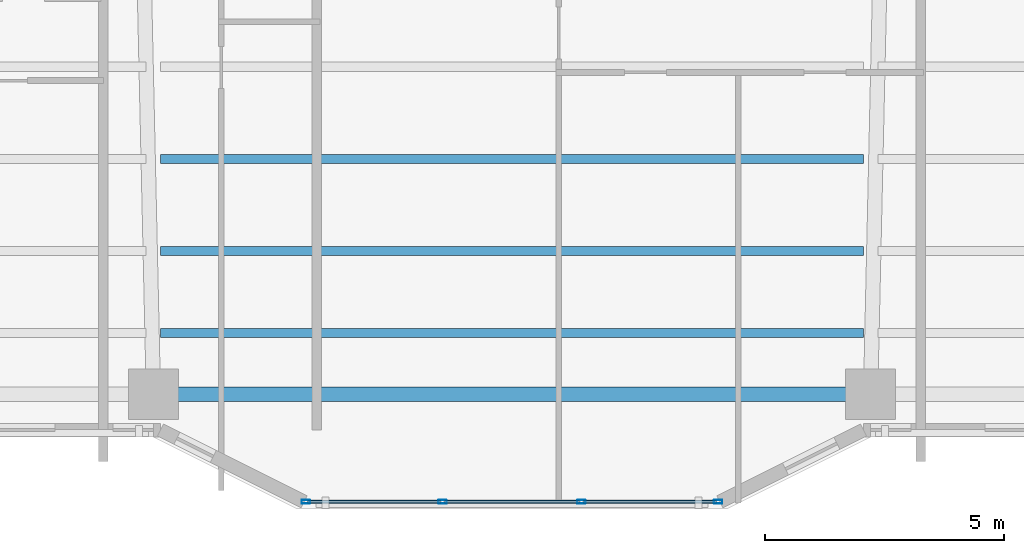
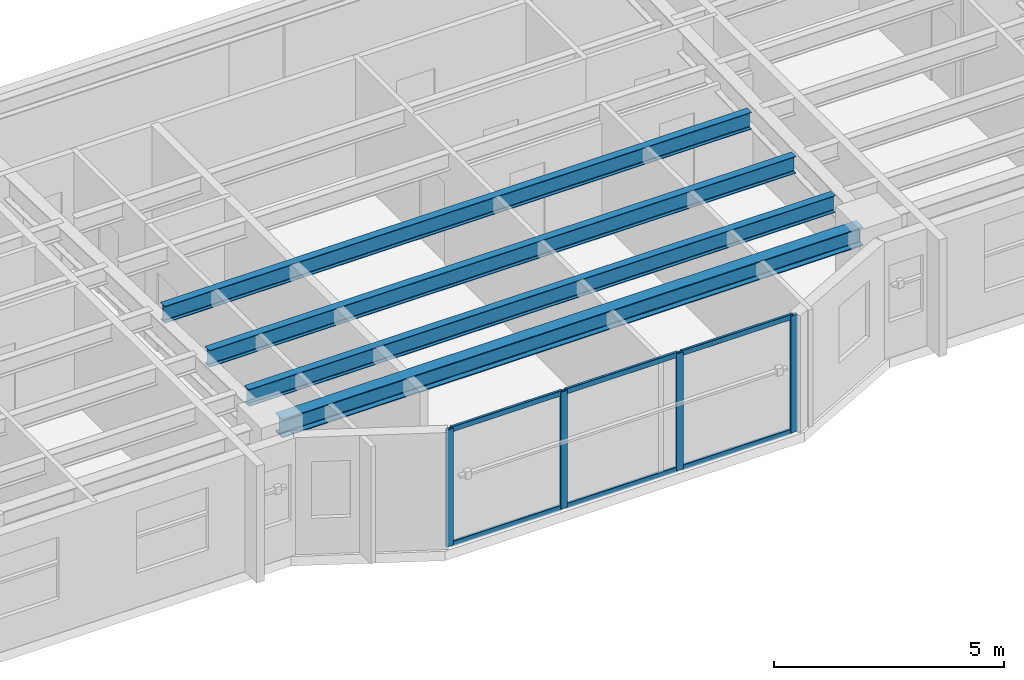
# One storey, part 2 of 18: 10 members, 4 beams, 1 element without a shape of its own.
"""IFC4 building model written with IfcOpenShell, lengths in metres."""

import ifcopenshell
import ifcopenshell.guid

model = None  # the IFC model being written
_history = None  # IfcOwnerHistory: only IFC2X3 demands one
_inside = {}  # id of a spatial element -> (the spatial element, [elements in it])
_under = {}  # id of a project, library or spatial element -> (it, [spatial elements below it])
_declared = {}  # id of a project -> (the project, [libraries it declares])
_typed = {}  # id of a type object -> (the type object, [elements of that type])
_made_of = {}  # id of a material, layer set ... -> (it, [elements and type objects made of it])


def new_model(schema):
    """Start an empty IFC model of exactly this schema.

    Asked for "IFC4X3", IfcOpenShell would pick the latest addendum, in which some entities
    have other attributes; the version numbers below select the first issue.
    IFC2X3 requires an IfcOwnerHistory on every rooted entity: one is made here for all.
    """
    global model, _history
    if schema == "IFC4X3":
        model = ifcopenshell.file(schema_version=(4, 3, 0, 0))
    else:
        model = ifcopenshell.file(schema=schema)
    _inside.clear()
    _under.clear()
    _declared.clear()
    _typed.clear()
    _made_of.clear()
    _history = None
    if model.schema == "IFC2X3":
        org = make("IfcOrganization", Name="unknown")
        user = make(
            "IfcPersonAndOrganization",
            ThePerson=make("IfcPerson", FamilyName="unknown"),
            TheOrganization=org,
        )
        app = make(
            "IfcApplication",
            ApplicationDeveloper=org,
            Version="unknown",
            ApplicationFullName="unknown",
            ApplicationIdentifier="unknown",
        )
        _history = make(
            "IfcOwnerHistory",
            OwningUser=user,
            OwningApplication=app,
            ChangeAction="ADDED",
            CreationDate=0,
        )
    return model


def make(cls, **values):
    """One entity of the class cls with the attributes given. An attribute that is None is left unset."""
    return model.create_entity(
        cls, **{name: value for name, value in values.items() if value is not None}
    )


def rooted(cls, **values):
    """An entity with a GlobalId (a new one), such as an element, a storey or a relation."""
    return make(cls, GlobalId=ifcopenshell.guid.new(), OwnerHistory=_history, **values)


def si_unit(unit_type, name, prefix=None):
    """IfcSIUnit, for example si_unit("LENGTHUNIT", "METRE", prefix="MILLI")."""
    return make("IfcSIUnit", UnitType=unit_type, Prefix=prefix, Name=name)


def assignment(units):
    """IfcUnitAssignment: the units of a project."""
    return None if units is None else make("IfcUnitAssignment", Units=units)


def point(xyz):
    """IfcCartesianPoint."""
    return None if xyz is None else make("IfcCartesianPoint", Coordinates=xyz)


def direction(xyz):
    """IfcDirection."""
    return None if xyz is None else make("IfcDirection", DirectionRatios=xyz)


def frame(location, z_axis=None, x_axis=None):
    """IfcAxis2Placement3D, a coordinate frame: its origin and axes. An axis left out is left unset."""
    return make(
        "IfcAxis2Placement3D",
        Location=point(location),
        Axis=direction(z_axis),
        RefDirection=direction(x_axis),
    )


def frame_2d(location, x_axis=None):
    """IfcAxis2Placement2D, a coordinate frame in the plane: its origin and x axis."""
    return make(
        "IfcAxis2Placement2D", Location=point(location), RefDirection=direction(x_axis)
    )


def origin():
    """The frame at (0, 0, 0) with its axes left unset."""
    return frame((0.0, 0.0, 0.0))


def origin_2d():
    """The frame at (0, 0) in the plane with its x axis left unset."""
    return frame_2d((0.0, 0.0))


def place(relative_to, where):
    """IfcLocalPlacement: puts the frame where relative to a parent placement (None: the world)."""
    return make(
        "IfcLocalPlacement", PlacementRelTo=relative_to, RelativePlacement=where
    )


def context(
    kind, dimensions, precision=None, world=None, true_north=None, identifier=None
):
    """IfcGeometricRepresentationContext, for example the 3D "Model" context."""
    return make(
        "IfcGeometricRepresentationContext",
        ContextIdentifier=identifier,
        ContextType=kind,
        CoordinateSpaceDimension=dimensions,
        Precision=precision,
        WorldCoordinateSystem=world,
        TrueNorth=true_north,
    )


def subcontext(parent, identifier, kind, view, scale=None):
    """IfcGeometricRepresentationSubContext, for example "Body" below "Model"."""
    return make(
        "IfcGeometricRepresentationSubContext",
        ContextIdentifier=identifier,
        ContextType=kind,
        ParentContext=parent,
        TargetScale=scale,
        TargetView=view,
    )


def project(units=None, contexts=None):
    """IfcProject with its units and contexts."""
    return rooted(
        "IfcProject",
        Name="project",
        RepresentationContexts=contexts,
        UnitsInContext=assignment(units),
    )


def spatial(cls, under=None, at=None, **own):
    """A site, building, storey or space (cls), placed at a placement, below another one or the project."""
    s = rooted(cls, ObjectPlacement=at, **own)
    if under is not None:
        _under.setdefault(under.id(), (under, []))[1].append(s)
    return s


def profile(cls, at=None, kind="AREA", **sizes):
    """A parametric profile (cls). Its sizes go by their IFC names, for example OverallWidth=200.0."""
    return make(cls, ProfileType=kind, Position=at, **sizes)


def hollow_rectangle(**sizes):
    """IfcRectangleHollowProfileDef."""
    return profile("IfcRectangleHollowProfileDef", **sizes)


def i_section(**sizes):
    """IfcIShapeProfileDef."""
    return profile("IfcIShapeProfileDef", **sizes)


def extrude(swept, where, along, depth):
    """IfcExtrudedAreaSolid: the profile swept, set in the frame where, extruded along a direction by depth."""
    return make(
        "IfcExtrudedAreaSolid",
        SweptArea=swept,
        Position=where,
        ExtrudedDirection=direction(along),
        Depth=depth,
    )


def shape(context_of_items, identifier, shape_type, items):
    """IfcShapeRepresentation: the items that make up one representation, for example the "Body"."""
    return make(
        "IfcShapeRepresentation",
        ContextOfItems=context_of_items,
        RepresentationIdentifier=identifier,
        RepresentationType=shape_type,
        Items=items,
    )


def material(Name=None, Category=None):
    """IfcMaterial."""
    return make("IfcMaterial", Name=Name, Category=Category)


def layer(
    of_material, thickness, ventilated=None, Name=None, Category=None, Priority=None
):
    """IfcMaterialLayer: one layer of a wall or slab, of a material (None: an air gap)."""
    return make(
        "IfcMaterialLayer",
        Material=of_material,
        LayerThickness=thickness,
        IsVentilated=ventilated,
        Name=Name,
        Category=Category,
        Priority=Priority,
    )


def layer_set(layers, Name=None):
    """IfcMaterialLayerSet."""
    return make("IfcMaterialLayerSet", MaterialLayers=layers, LayerSetName=Name)


def material_profile(
    of_material, cross_section, Name=None, Category=None, Priority=None
):
    """IfcMaterialProfile: a cross section and its material."""
    return make(
        "IfcMaterialProfile",
        Name=Name,
        Material=of_material,
        Profile=cross_section,
        Priority=Priority,
        Category=Category,
    )


def profile_set(profiles, Name=None, composite=None):
    """IfcMaterialProfileSet."""
    return make(
        "IfcMaterialProfileSet",
        Name=Name,
        MaterialProfiles=profiles,
        CompositeProfile=composite,
    )


def made_of(thing, what):
    """Note that an element or type object is made of a material, layer set ...; save() writes the relation."""
    if what is not None:
        _made_of.setdefault(what.id(), (what, []))[1].append(thing)
    return thing


def type_object(cls, material=None, **own):
    """A type object (cls), such as IfcWallType, which elements share."""
    return made_of(rooted(cls, **own), material)


def element(
    cls,
    number,
    at=None,
    inside=None,
    cuts=None,
    type_object=None,
    material=None,
    context=None,
    identifier="Body",
    shape_type=None,
    held_by="IfcProductDefinitionShape",
    body=None,
    shapes=None,
    **own,
):
    """One element of the class cls, such as IfcWall. Its Tag is "e" and its number.

    at: its placement. inside: the storey or other place that contains it. cuts: it is an
    opening in that element (IfcRelVoidsElement). A single representation is given by context,
    identifier, shape_type and body (its items); several are given by shapes. held_by: the class
    of the entity that holds the representations. save() writes the other relations.
    """
    e = rooted(cls, Tag="e%d" % number, ObjectPlacement=at, **own)
    if body is not None:
        shapes = [shape(context, identifier, shape_type, body)]
    if shapes is not None:
        e.Representation = make(held_by, Representations=shapes)
    if inside is not None:
        _inside.setdefault(inside.id(), (inside, []))[1].append(e)
    if cuts is not None:
        rooted(
            "IfcRelVoidsElement", RelatingBuildingElement=cuts, RelatedOpeningElement=e
        )
    if type_object is not None:
        _typed.setdefault(type_object.id(), (type_object, []))[1].append(e)
    return made_of(e, material)


def aggregate(whole, parts):
    """IfcRelAggregates: a whole, such as a stair, and the parts it consists of."""
    return rooted("IfcRelAggregates", RelatingObject=whole, RelatedObjects=parts)


def save(model, path):
    """Write the relations noted so far, then the file.

    IfcRelAggregates (storeys below a building ...), IfcRelContainedInSpatialStructure (elements
    in a storey), IfcRelDefinesByType, IfcRelAssociatesMaterial and IfcRelDeclares: one each for
    every whole, place, type object, material and project.
    """
    for whole, parts in _under.values():
        aggregate(whole, parts)
    for where, things in _inside.values():
        rooted(
            "IfcRelContainedInSpatialStructure",
            RelatedElements=things,
            RelatingStructure=where,
        )
    for kind, things in _typed.values():
        rooted("IfcRelDefinesByType", RelatedObjects=things, RelatingType=kind)
    for what, things in _made_of.values():
        rooted("IfcRelAssociatesMaterial", RelatedObjects=things, RelatingMaterial=what)
    for by, libraries in _declared.values():
        rooted("IfcRelDeclares", RelatingContext=by, RelatedDefinitions=libraries)
    model.write(path)


model = new_model("IFC4")

# Units and contexts
model_context = context("Model", 3, precision=1e-05, world=origin(), true_north=direction((0.0, 1.0)))
body_context = subcontext(model_context, "Body", "Model", "MODEL_VIEW")
ifc_project = project(units=[si_unit("LENGTHUNIT", "METRE"), si_unit("AREAUNIT", "SQUARE_METRE"), si_unit("VOLUMEUNIT", "CUBIC_METRE"), si_unit("PLANEANGLEUNIT", "RADIAN"), si_unit("MASSUNIT", "GRAM", prefix="KILO")], contexts=[model_context])

# Site, building, storey
site_placement = place(None, origin())
site = spatial("IfcSite", under=ifc_project, at=site_placement, CompositionType="ELEMENT")
building_placement = place(site_placement, origin())
building = spatial("IfcBuilding", under=site, at=building_placement, Name="Tarnavaz Court Tower", CompositionType="ELEMENT")
storey_placement = place(building_placement, frame((0.0, 0.0, 85.0)))
storey = spatial("IfcBuildingStorey", under=building, at=storey_placement, Name="L22", CompositionType="ELEMENT", Elevation=85.0)

# Beams
ifc_material_1 = material(Name="Steel S355", Category="steel")
ifc_material_profile_1 = material_profile(ifc_material_1, i_section(OverallWidth=0.18994140625, OverallDepth=0.449951171875, WebThickness=0.009521484375, FlangeThickness=0.0146484375, FilletRadius=0.02099609375, at=origin_2d()), Name="IPE 450")
ifc_profile_set_1 = profile_set([ifc_material_profile_1], Name="Steel S355")
beam_type_1 = type_object("IfcBeamType", Name="BM-J-IPE450", PredefinedType="JOIST", material=ifc_profile_set_1)
for number, where, z_axis, x_axis, name in (
    (1, (-7.35009765625, -16.3779296875, 2.875), (1.0, 0.0, 0.0), (0.0, 1.0, 0.0), "L22 Beam JS3-2"),
    (2, (-7.35009765625, -18.303955078125, 2.875), (1.0, 0.0, 0.0), (0.0, 1.0, 0.0), "L22 Beam JS4-2"),
    (3, (-7.35009765625, -20.01611328125, 2.875), (1.0, 0.0, 0.0), (0.0, 1.0, 0.0), "L22 Beam JS5-2"),
):
    element("IfcBeam", number, at=place(storey_placement, frame(where, z_axis=z_axis, x_axis=x_axis)), inside=storey, type_object=beam_type_1, Name=name, PredefinedType="JOIST", context=body_context, shape_type="SweptSolid", body=[
        extrude(i_section(OverallWidth=0.18994140625, OverallDepth=0.449951171875, WebThickness=0.009521484375, FlangeThickness=0.0146484375, FilletRadius=0.02099609375, at=origin_2d()), origin(), (0.0, 0.0, 1.0), 14.7001953125),
    ])
ifc_material_profile_2 = material_profile(ifc_material_1, i_section(OverallWidth=0.300048828125, OverallDepth=0.489990234375, WebThickness=0.011962890625, FlangeThickness=0.02294921875, FilletRadius=0.027099609375, at=origin_2d()), Name="HEA 500")
ifc_profile_set_2 = profile_set([ifc_material_profile_2], Name="Steel S355")
beam_type_2 = type_object("IfcBeamType", Name="BM-SP-HEA500", PredefinedType="SPANDREL", material=ifc_profile_set_2)
beam_placement = place(storey_placement, frame((-7.280029296875, -21.300048828125, 2.85498046875), z_axis=(1.0, 0.0, 0.0), x_axis=(0.0, 1.0, 0.0)))
element("IfcBeam", 4, at=beam_placement, inside=storey, type_object=beam_type_2, Name="L22 Beam PR-PS-2-PS-3", PredefinedType="SPANDREL", context=body_context, shape_type="SweptSolid", body=[
    extrude(i_section(OverallWidth=0.300048828125, OverallDepth=0.489990234375, WebThickness=0.011962890625, FlangeThickness=0.02294921875, FilletRadius=0.027099609375, at=origin_2d()), origin(), (0.0, 0.0, 1.0), 14.56005859375),
])

# Curtain wall, members
ifc_material_2 = material(Name="Anodised Aluminium 6063-T6 and Solar Low-E Glazing", Category="aluminium")
ifc_layer = layer(ifc_material_2, 0.179931640625)
ifc_layer_set = layer_set([ifc_layer], Name="Anodised Aluminium 6063-T6 and Solar Low-E Glazing")
curtain_wall_type = type_object("IfcCurtainWallType", Name="CW-SYS-02", PredefinedType="NOTDEFINED", material=ifc_layer_set)
curtain_wall_placement = place(storey_placement, origin())
curtain_wall = element("IfcCurtainWall", 5, at=curtain_wall_placement, inside=storey, type_object=curtain_wall_type, Name="L22 Iwan Prow Curtain Wall 17", PredefinedType="NOTDEFINED")
ifc_material_3 = material(Name="Anodised Aluminium 6063-T6", Category="aluminium")
ifc_material_profile_3 = material_profile(ifc_material_3, hollow_rectangle(XDim=0.074951171875, YDim=0.179931640625, WallThickness=0.0048828125, InnerFilletRadius=0.0048828125, OuterFilletRadius=0.010009765625, at=origin_2d()), Name="ALU RHS 180X75X5")
ifc_profile_set_3 = profile_set([ifc_material_profile_3], Name="Anodised Aluminium 6063-T6")
member_type_1 = type_object("IfcMemberType", Name="CW-MUL-180", PredefinedType="MULLION", material=ifc_profile_set_3)
member_1_placement = place(storey_placement, frame((4.3125, -23.550048828125, 0.0), z_axis=(0.0, 0.0, 1.0), x_axis=(0.0, -1.0, 0.0)))
member_1 = element("IfcMember", 6, at=member_1_placement, type_object=member_type_1, Name="CW mullion 1", PredefinedType="MULLION", context=body_context, shape_type="SweptSolid", body=[
    extrude(hollow_rectangle(XDim=0.074951171875, YDim=0.179931640625, WallThickness=0.0048828125, InnerFilletRadius=0.0048828125, OuterFilletRadius=0.010009765625, at=origin_2d()), origin(), (0.0, 0.0, 1.0), 3.10009765625),
])
member_2_placement = place(storey_placement, frame((1.449951171875, -23.550048828125, 0.0), z_axis=(0.0, 0.0, 1.0), x_axis=(0.0, -1.0, 0.0)))
member_2 = element("IfcMember", 7, at=member_2_placement, type_object=member_type_1, Name="CW mullion 2", PredefinedType="MULLION", context=body_context, shape_type="SweptSolid", body=[
    extrude(hollow_rectangle(XDim=0.074951171875, YDim=0.179931640625, WallThickness=0.0048828125, InnerFilletRadius=0.0048828125, OuterFilletRadius=0.010009765625, at=origin_2d()), origin(), (0.0, 0.0, 1.0), 3.10009765625),
])
member_3_placement = place(storey_placement, frame((-1.449951171875, -23.550048828125, 0.0), z_axis=(0.0, 0.0, 1.0), x_axis=(0.0, -1.0, 0.0)))
member_3 = element("IfcMember", 8, at=member_3_placement, type_object=member_type_1, Name="CW mullion 3", PredefinedType="MULLION", context=body_context, shape_type="SweptSolid", body=[
    extrude(hollow_rectangle(XDim=0.074951171875, YDim=0.179931640625, WallThickness=0.0048828125, InnerFilletRadius=0.0048828125, OuterFilletRadius=0.010009765625, at=origin_2d()), origin(), (0.0, 0.0, 1.0), 3.10009765625),
])
member_4_placement = place(storey_placement, frame((-4.3125, -23.550048828125, 0.0), z_axis=(0.0, 0.0, 1.0), x_axis=(0.0, -1.0, 0.0)))
member_4 = element("IfcMember", 9, at=member_4_placement, type_object=member_type_1, Name="CW mullion 4", PredefinedType="MULLION", context=body_context, shape_type="SweptSolid", body=[
    extrude(hollow_rectangle(XDim=0.074951171875, YDim=0.179931640625, WallThickness=0.0048828125, InnerFilletRadius=0.0048828125, OuterFilletRadius=0.010009765625, at=origin_2d()), origin(), (0.0, 0.0, 1.0), 3.10009765625),
])
ifc_material_profile_4 = material_profile(ifc_material_3, hollow_rectangle(XDim=0.06494140625, YDim=0.139892578125, WallThickness=0.00390625, InnerFilletRadius=0.00390625, OuterFilletRadius=0.008056640625, at=origin_2d()), Name="ALU RHS 140X65X4")
ifc_profile_set_4 = profile_set([ifc_material_profile_4], Name="Anodised Aluminium 6063-T6")
member_type_2 = type_object("IfcMemberType", Name="CW-TRN-140", PredefinedType="USERDEFINED", material=ifc_profile_set_4)
member_5_placement = place(storey_placement, frame((4.27490234375, -23.550048828125, 0.032470703125), z_axis=(-1.0, 0.0, 0.0), x_axis=(0.0, -1.0, 0.0)))
member_5 = element("IfcMember", 10, at=member_5_placement, type_object=member_type_2, Name="CW transom 1.1", ObjectType="TRANSOM", PredefinedType="USERDEFINED", context=body_context, shape_type="SweptSolid", body=[
    extrude(hollow_rectangle(XDim=0.06494140625, YDim=0.139892578125, WallThickness=0.00390625, InnerFilletRadius=0.00390625, OuterFilletRadius=0.008056640625, at=origin_2d()), origin(), (0.0, 0.0, 1.0), 2.787353515625),
])
member_6_placement = place(storey_placement, frame((4.27490234375, -23.550048828125, 3.0673828125), z_axis=(-1.0, 0.0, 0.0), x_axis=(0.0, -1.0, 0.0)))
member_6 = element("IfcMember", 11, at=member_6_placement, type_object=member_type_2, Name="CW transom 1.2", ObjectType="TRANSOM", PredefinedType="USERDEFINED", context=body_context, shape_type="SweptSolid", body=[
    extrude(hollow_rectangle(XDim=0.06494140625, YDim=0.139892578125, WallThickness=0.00390625, InnerFilletRadius=0.00390625, OuterFilletRadius=0.008056640625, at=origin_2d()), origin(), (0.0, 0.0, 1.0), 2.787353515625),
])
member_7_placement = place(storey_placement, frame((1.41259765625, -23.550048828125, 0.032470703125), z_axis=(-1.0, 0.0, 0.0), x_axis=(0.0, -1.0, 0.0)))
member_7 = element("IfcMember", 12, at=member_7_placement, type_object=member_type_2, Name="CW transom 2.1", ObjectType="TRANSOM", PredefinedType="USERDEFINED", context=body_context, shape_type="SweptSolid", body=[
    extrude(hollow_rectangle(XDim=0.06494140625, YDim=0.139892578125, WallThickness=0.00390625, InnerFilletRadius=0.00390625, OuterFilletRadius=0.008056640625, at=origin_2d()), origin(), (0.0, 0.0, 1.0), 2.8251953125),
])
member_8_placement = place(storey_placement, frame((1.41259765625, -23.550048828125, 3.0673828125), z_axis=(-1.0, 0.0, 0.0), x_axis=(0.0, -1.0, 0.0)))
member_8 = element("IfcMember", 13, at=member_8_placement, type_object=member_type_2, Name="CW transom 2.2", ObjectType="TRANSOM", PredefinedType="USERDEFINED", context=body_context, shape_type="SweptSolid", body=[
    extrude(hollow_rectangle(XDim=0.06494140625, YDim=0.139892578125, WallThickness=0.00390625, InnerFilletRadius=0.00390625, OuterFilletRadius=0.008056640625, at=origin_2d()), origin(), (0.0, 0.0, 1.0), 2.8251953125),
])
member_9_placement = place(storey_placement, frame((-1.487548828125, -23.550048828125, 0.032470703125), z_axis=(-1.0, 0.0, 0.0), x_axis=(0.0, -1.0, 0.0)))
member_9 = element("IfcMember", 14, at=member_9_placement, type_object=member_type_2, Name="CW transom 3.1", ObjectType="TRANSOM", PredefinedType="USERDEFINED", context=body_context, shape_type="SweptSolid", body=[
    extrude(hollow_rectangle(XDim=0.06494140625, YDim=0.139892578125, WallThickness=0.00390625, InnerFilletRadius=0.00390625, OuterFilletRadius=0.008056640625, at=origin_2d()), origin(), (0.0, 0.0, 1.0), 2.787353515625),
])
member_10_placement = place(storey_placement, frame((-1.487548828125, -23.550048828125, 3.0673828125), z_axis=(-1.0, 0.0, 0.0), x_axis=(0.0, -1.0, 0.0)))
member_10 = element("IfcMember", 15, at=member_10_placement, type_object=member_type_2, Name="CW transom 3.2", ObjectType="TRANSOM", PredefinedType="USERDEFINED", context=body_context, shape_type="SweptSolid", body=[
    extrude(hollow_rectangle(XDim=0.06494140625, YDim=0.139892578125, WallThickness=0.00390625, InnerFilletRadius=0.00390625, OuterFilletRadius=0.008056640625, at=origin_2d()), origin(), (0.0, 0.0, 1.0), 2.787353515625),
])
aggregate(curtain_wall, [member_1, member_2, member_3, member_4, member_5, member_6, member_7, member_8, member_9, member_10])

save(model, "model.ifc")
